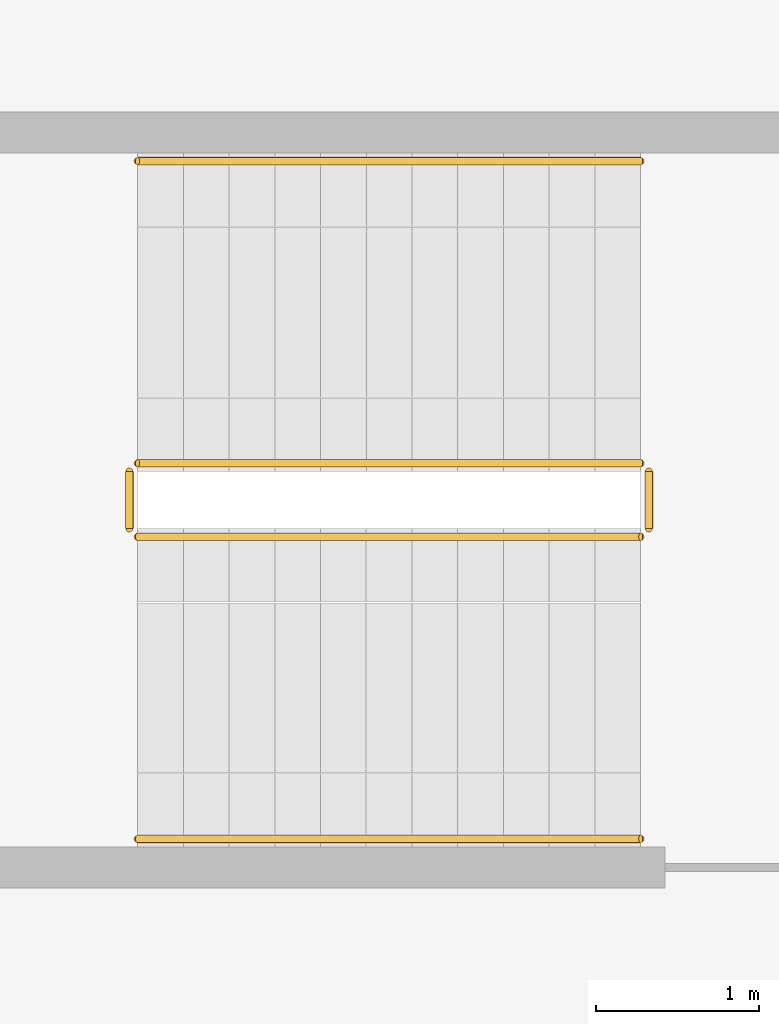
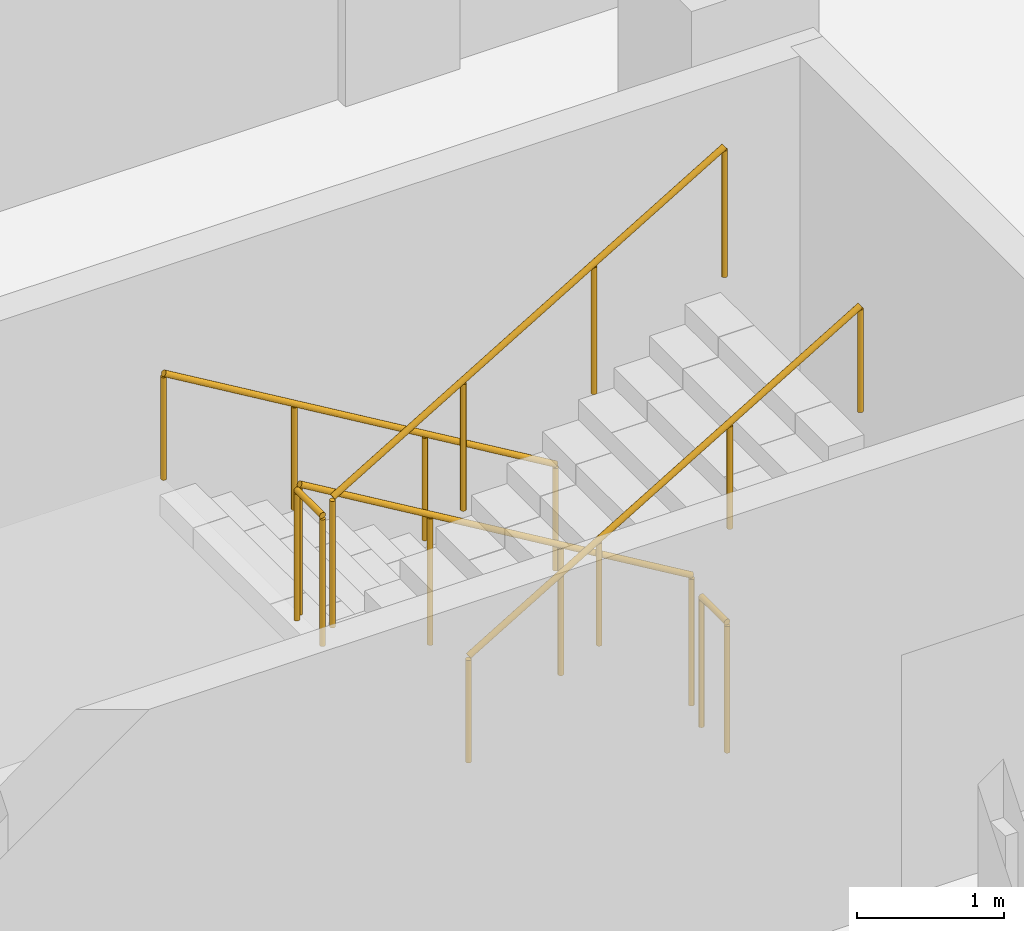
# One storey, part 15 of 15: 1 railing.
"""IFC4 building model written with IfcOpenShell, lengths in metres."""

from ifc_helpers import new_model, si_unit, direction, frame, origin, origin_2d, place, context, subcontext, project, spatial, circle, extrude, material, type_object, element, save


model = new_model("IFC4")

# Units and contexts
model_context = context("Model", 3, precision=1e-05, world=origin(), true_north=direction((0.0, 1.0)))
body_context = subcontext(model_context, "Body", "Model", "MODEL_VIEW")
ifc_project = project(units=[si_unit("LENGTHUNIT", "METRE"), si_unit("AREAUNIT", "SQUARE_METRE"), si_unit("VOLUMEUNIT", "CUBIC_METRE"), si_unit("PLANEANGLEUNIT", "RADIAN"), si_unit("MASSUNIT", "GRAM", prefix="KILO")], contexts=[model_context])

# Site, building, storey
site_placement = place(None, origin())
site = spatial("IfcSite", under=ifc_project, at=site_placement, CompositionType="ELEMENT")
building_placement = place(site_placement, origin())
building = spatial("IfcBuilding", under=site, at=building_placement, Name="Corbelhall Arena Tower", CompositionType="ELEMENT")
storey_placement = place(building_placement, frame((0.0, 0.0, 224.0)))
storey = spatial("IfcBuildingStorey", under=building, at=storey_placement, Name="L47", CompositionType="ELEMENT", Elevation=224.0)

# Railing
ifc_material = material(Name="Steel ASTM A500 Gr C", Category="steel")
railing_type = type_object("IfcRailingType", Name="IN-GD-1100", PredefinedType="GUARDRAIL", material=ifc_material)
railing_placement = place(storey_placement, frame((11.425048828125, 14.77490234375, 0.166748046875)))
element("IfcRailing", 1, at=railing_placement, inside=storey, type_object=railing_type, Name="L47 ST3 stair guards and handrails", PredefinedType="GUARDRAIL", context=body_context, shape_type="SweptSolid", body=[
    extrude(circle(Radius=0.02392578125, at=origin_2d()), frame((0.0, 0.0, 1.076171875), z_axis=(-0.859308565015, 0.0, 0.511457515432), x_axis=(0.0, -1.0, 0.0)), (0.0, 0.0, 1.0), 3.58447265625),
    extrude(circle(Radius=0.02392578125, at=origin_2d()), frame((-3.130126953125, -0.0498046875, 2.9091796875), z_axis=(0.0, -1.0, 0.0), x_axis=(1.0, 0.0, 0.0)), (0.0, 0.0, 1.0), 0.35009765625),
    extrude(circle(Radius=0.02392578125, at=origin_2d()), frame((-3.080078125, -0.449951171875, 3.076171875), z_axis=(0.859308565015, 0.0, 0.511457515432), x_axis=(0.0, 1.0, 0.0)), (0.0, 0.0, 1.0), 3.58447265625),
    extrude(circle(Radius=0.02392578125, at=origin_2d()), frame((0.050048828125, -0.0498046875, 0.9091796875), z_axis=(0.0, -1.0, 0.0), x_axis=(1.0, 0.0, 0.0)), (0.0, 0.0, 1.0), 0.35009765625),
    extrude(circle(Radius=0.02392578125, at=origin_2d()), frame((0.0, 1.85009765625, 0.8759765625), z_axis=(-0.859308565015, 0.0, 0.511457515432), x_axis=(0.0, -1.0, 0.0)), (0.0, 0.0, 1.0), 3.58447265625),
    extrude(circle(Radius=0.02392578125, at=origin_2d()), frame((-3.080078125, -2.2998046875, 2.8759765625), z_axis=(0.859308565015, 0.0, 0.511457515432), x_axis=(0.0, 1.0, 0.0)), (0.0, 0.0, 1.0), 3.58447265625),
    extrude(circle(Radius=0.02099609375, at=origin_2d()), origin(), (0.0, 0.0, 1.0), 1.052001953125),
    extrude(circle(Radius=0.02099609375, at=origin_2d()), frame((-1.026611328125, 0.0, 0.611083984375)), (0.0, 0.0, 1.0), 1.052001953125),
    extrude(circle(Radius=0.02099609375, at=origin_2d()), frame((-2.053466796875, 0.0, 1.22216796875)), (0.0, 0.0, 1.0), 1.052001953125),
    extrude(circle(Radius=0.02099609375, at=origin_2d()), frame((-3.080078125, 0.0, 1.833251953125)), (0.0, 0.0, 1.0), 1.052001953125),
    extrude(circle(Radius=0.02099609375, at=origin_2d()), frame((-3.130126953125, -0.0498046875, 1.833251953125)), (0.0, 0.0, 1.0), 1.052001953125),
    extrude(circle(Radius=0.02099609375, at=origin_2d()), frame((-3.130126953125, -0.39990234375, 1.833251953125)), (0.0, 0.0, 1.0), 1.052001953125),
    extrude(circle(Radius=0.02099609375, at=origin_2d()), frame((-3.080078125, -0.449951171875, 2.0)), (0.0, 0.0, 1.0), 1.052001953125),
    extrude(circle(Radius=0.02099609375, at=origin_2d()), frame((-2.053466796875, -0.449951171875, 2.611083984375)), (0.0, 0.0, 1.0), 1.052001953125),
    extrude(circle(Radius=0.02099609375, at=origin_2d()), frame((-1.026611328125, -0.449951171875, 3.22216796875)), (0.0, 0.0, 1.0), 1.052001953125),
    extrude(circle(Radius=0.02099609375, at=origin_2d()), frame((0.0, -0.449951171875, 3.833251953125)), (0.0, 0.0, 1.0), 1.052001953125),
    extrude(circle(Radius=0.02099609375, at=origin_2d()), frame((0.050048828125, -0.0498046875, -0.166748046875)), (0.0, 0.0, 1.0), 1.052001953125),
    extrude(circle(Radius=0.02099609375, at=origin_2d()), frame((0.050048828125, -0.39990234375, -0.166748046875)), (0.0, 0.0, 1.0), 1.052001953125),
    extrude(circle(Radius=0.02099609375, at=origin_2d()), frame((0.0, 1.85009765625, 0.0)), (0.0, 0.0, 1.0), 0.851806640625),
    extrude(circle(Radius=0.02099609375, at=origin_2d()), frame((-1.026611328125, 1.85009765625, 0.611083984375)), (0.0, 0.0, 1.0), 0.851806640625),
    extrude(circle(Radius=0.02099609375, at=origin_2d()), frame((-2.053466796875, 1.85009765625, 1.22216796875)), (0.0, 0.0, 1.0), 0.851806640625),
    extrude(circle(Radius=0.02099609375, at=origin_2d()), frame((-3.080078125, 1.85009765625, 1.833251953125)), (0.0, 0.0, 1.0), 0.851806640625),
    extrude(circle(Radius=0.02099609375, at=origin_2d()), frame((-3.080078125, -2.2998046875, 2.0)), (0.0, 0.0, 1.0), 0.851806640625),
    extrude(circle(Radius=0.02099609375, at=origin_2d()), frame((-2.053466796875, -2.2998046875, 2.611083984375)), (0.0, 0.0, 1.0), 0.851806640625),
    extrude(circle(Radius=0.02099609375, at=origin_2d()), frame((-1.026611328125, -2.2998046875, 3.22216796875)), (0.0, 0.0, 1.0), 0.851806640625),
    extrude(circle(Radius=0.02099609375, at=origin_2d()), frame((0.0, -2.2998046875, 3.833251953125)), (0.0, 0.0, 1.0), 0.851806640625),
])

save(model, "model.ifc")
